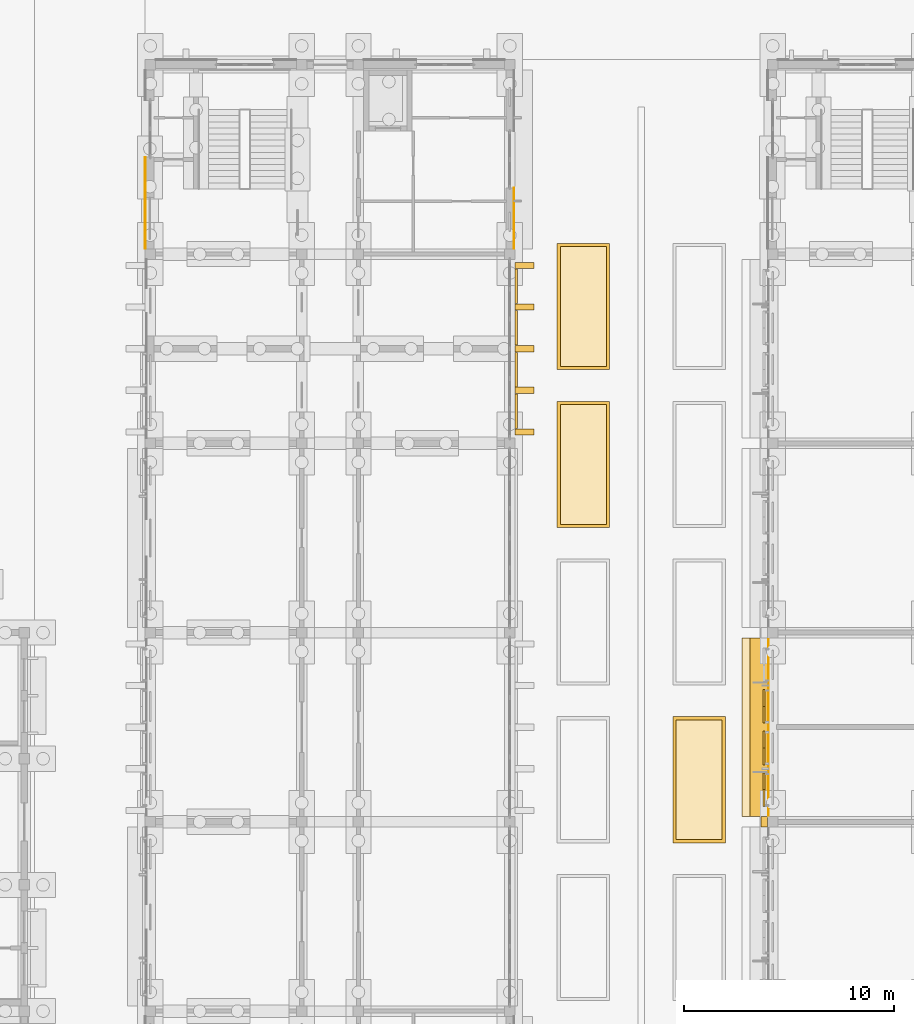
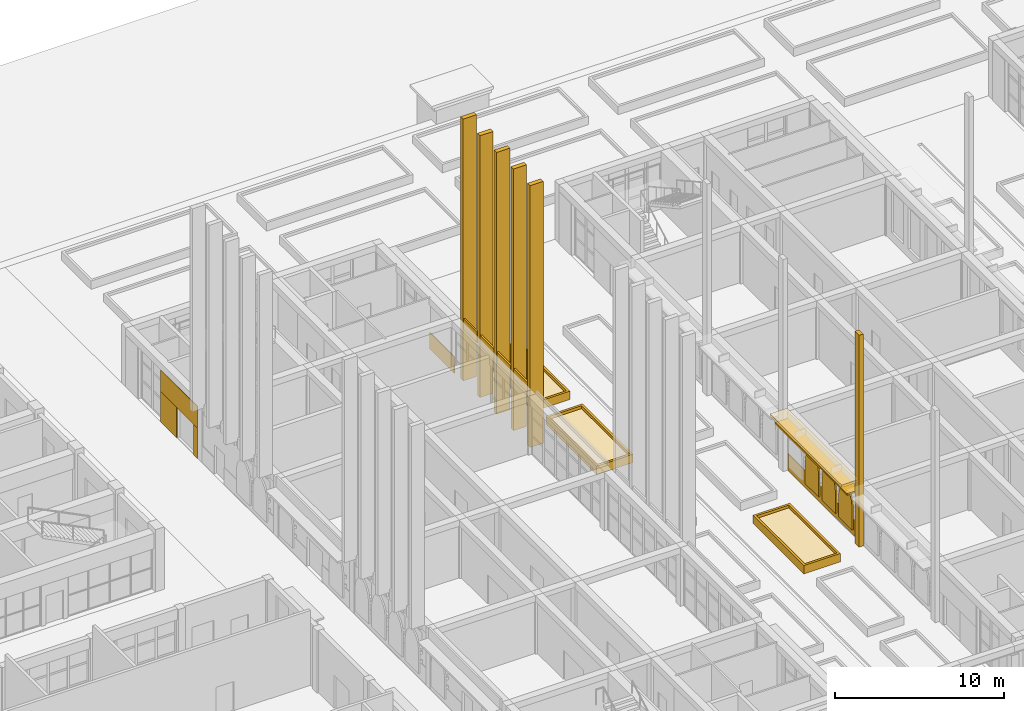
# One storey, part 103 of 161: 22 coverings, 4 shading devices.
"""IFC4 building model written with IfcOpenShell, lengths in metres."""

import ifcopenshell
import ifcopenshell.guid

model = None  # the IFC model being written
_history = None  # IfcOwnerHistory: only IFC2X3 demands one
_inside = {}  # id of a spatial element -> (the spatial element, [elements in it])
_under = {}  # id of a project, library or spatial element -> (it, [spatial elements below it])
_declared = {}  # id of a project -> (the project, [libraries it declares])
_typed = {}  # id of a type object -> (the type object, [elements of that type])
_made_of = {}  # id of a material, layer set ... -> (it, [elements and type objects made of it])


def new_model(schema):
    """Start an empty IFC model of exactly this schema.

    Asked for "IFC4X3", IfcOpenShell would pick the latest addendum, in which some entities
    have other attributes; the version numbers below select the first issue.
    IFC2X3 requires an IfcOwnerHistory on every rooted entity: one is made here for all.
    """
    global model, _history
    if schema == "IFC4X3":
        model = ifcopenshell.file(schema_version=(4, 3, 0, 0))
    else:
        model = ifcopenshell.file(schema=schema)
    _inside.clear()
    _under.clear()
    _declared.clear()
    _typed.clear()
    _made_of.clear()
    _history = None
    if model.schema == "IFC2X3":
        org = make("IfcOrganization", Name="unknown")
        user = make(
            "IfcPersonAndOrganization",
            ThePerson=make("IfcPerson", FamilyName="unknown"),
            TheOrganization=org,
        )
        app = make(
            "IfcApplication",
            ApplicationDeveloper=org,
            Version="unknown",
            ApplicationFullName="unknown",
            ApplicationIdentifier="unknown",
        )
        _history = make(
            "IfcOwnerHistory",
            OwningUser=user,
            OwningApplication=app,
            ChangeAction="ADDED",
            CreationDate=0,
        )
    return model


def make(cls, **values):
    """One entity of the class cls with the attributes given. An attribute that is None is left unset."""
    return model.create_entity(
        cls, **{name: value for name, value in values.items() if value is not None}
    )


def rooted(cls, **values):
    """An entity with a GlobalId (a new one), such as an element, a storey or a relation."""
    return make(cls, GlobalId=ifcopenshell.guid.new(), OwnerHistory=_history, **values)


def si_unit(unit_type, name, prefix=None):
    """IfcSIUnit, for example si_unit("LENGTHUNIT", "METRE", prefix="MILLI")."""
    return make("IfcSIUnit", UnitType=unit_type, Prefix=prefix, Name=name)


def assignment(units):
    """IfcUnitAssignment: the units of a project."""
    return None if units is None else make("IfcUnitAssignment", Units=units)


def point(xyz):
    """IfcCartesianPoint."""
    return None if xyz is None else make("IfcCartesianPoint", Coordinates=xyz)


def direction(xyz):
    """IfcDirection."""
    return None if xyz is None else make("IfcDirection", DirectionRatios=xyz)


def frame(location, z_axis=None, x_axis=None):
    """IfcAxis2Placement3D, a coordinate frame: its origin and axes. An axis left out is left unset."""
    return make(
        "IfcAxis2Placement3D",
        Location=point(location),
        Axis=direction(z_axis),
        RefDirection=direction(x_axis),
    )


def frame_2d(location, x_axis=None):
    """IfcAxis2Placement2D, a coordinate frame in the plane: its origin and x axis."""
    return make(
        "IfcAxis2Placement2D", Location=point(location), RefDirection=direction(x_axis)
    )


def origin():
    """The frame at (0, 0, 0) with its axes left unset."""
    return frame((0.0, 0.0, 0.0))


def origin_2d():
    """The frame at (0, 0) in the plane with its x axis left unset."""
    return frame_2d((0.0, 0.0))


def place(relative_to, where):
    """IfcLocalPlacement: puts the frame where relative to a parent placement (None: the world)."""
    return make(
        "IfcLocalPlacement", PlacementRelTo=relative_to, RelativePlacement=where
    )


def context(
    kind, dimensions, precision=None, world=None, true_north=None, identifier=None
):
    """IfcGeometricRepresentationContext, for example the 3D "Model" context."""
    return make(
        "IfcGeometricRepresentationContext",
        ContextIdentifier=identifier,
        ContextType=kind,
        CoordinateSpaceDimension=dimensions,
        Precision=precision,
        WorldCoordinateSystem=world,
        TrueNorth=true_north,
    )


def subcontext(parent, identifier, kind, view, scale=None):
    """IfcGeometricRepresentationSubContext, for example "Body" below "Model"."""
    return make(
        "IfcGeometricRepresentationSubContext",
        ContextIdentifier=identifier,
        ContextType=kind,
        ParentContext=parent,
        TargetScale=scale,
        TargetView=view,
    )


def project(units=None, contexts=None):
    """IfcProject with its units and contexts."""
    return rooted(
        "IfcProject",
        Name="project",
        RepresentationContexts=contexts,
        UnitsInContext=assignment(units),
    )


def spatial(cls, under=None, at=None, **own):
    """A site, building, storey or space (cls), placed at a placement, below another one or the project."""
    s = rooted(cls, ObjectPlacement=at, **own)
    if under is not None:
        _under.setdefault(under.id(), (under, []))[1].append(s)
    return s


def polyline(points):
    """IfcPolyline through the points."""
    return make("IfcPolyline", Points=[point(p) for p in points])


def profile(cls, at=None, kind="AREA", **sizes):
    """A parametric profile (cls). Its sizes go by their IFC names, for example OverallWidth=200.0."""
    return make(cls, ProfileType=kind, Position=at, **sizes)


def rectangle(**sizes):
    """IfcRectangleProfileDef."""
    return profile("IfcRectangleProfileDef", **sizes)


def outline(outer, holes=None, kind="AREA"):
    """IfcArbitraryClosedProfileDef: a profile drawn as a closed curve; with holes, ...WithVoids."""
    if holes is None:
        return make("IfcArbitraryClosedProfileDef", ProfileType=kind, OuterCurve=outer)
    return make(
        "IfcArbitraryProfileDefWithVoids",
        ProfileType=kind,
        OuterCurve=outer,
        InnerCurves=holes,
    )


def extrude(swept, where, along, depth):
    """IfcExtrudedAreaSolid: the profile swept, set in the frame where, extruded along a direction by depth."""
    return make(
        "IfcExtrudedAreaSolid",
        SweptArea=swept,
        Position=where,
        ExtrudedDirection=direction(along),
        Depth=depth,
    )


def shape(context_of_items, identifier, shape_type, items):
    """IfcShapeRepresentation: the items that make up one representation, for example the "Body"."""
    return make(
        "IfcShapeRepresentation",
        ContextOfItems=context_of_items,
        RepresentationIdentifier=identifier,
        RepresentationType=shape_type,
        Items=items,
    )


def material(Name=None, Category=None):
    """IfcMaterial."""
    return make("IfcMaterial", Name=Name, Category=Category)


def layer(
    of_material, thickness, ventilated=None, Name=None, Category=None, Priority=None
):
    """IfcMaterialLayer: one layer of a wall or slab, of a material (None: an air gap)."""
    return make(
        "IfcMaterialLayer",
        Material=of_material,
        LayerThickness=thickness,
        IsVentilated=ventilated,
        Name=Name,
        Category=Category,
        Priority=Priority,
    )


def layer_set(layers, Name=None):
    """IfcMaterialLayerSet."""
    return make("IfcMaterialLayerSet", MaterialLayers=layers, LayerSetName=Name)


def made_of(thing, what):
    """Note that an element or type object is made of a material, layer set ...; save() writes the relation."""
    if what is not None:
        _made_of.setdefault(what.id(), (what, []))[1].append(thing)
    return thing


def type_object(cls, material=None, **own):
    """A type object (cls), such as IfcWallType, which elements share."""
    return made_of(rooted(cls, **own), material)


def element(
    cls,
    number,
    at=None,
    inside=None,
    cuts=None,
    type_object=None,
    material=None,
    context=None,
    identifier="Body",
    shape_type=None,
    held_by="IfcProductDefinitionShape",
    body=None,
    shapes=None,
    **own,
):
    """One element of the class cls, such as IfcWall. Its Tag is "e" and its number.

    at: its placement. inside: the storey or other place that contains it. cuts: it is an
    opening in that element (IfcRelVoidsElement). A single representation is given by context,
    identifier, shape_type and body (its items); several are given by shapes. held_by: the class
    of the entity that holds the representations. save() writes the other relations.
    """
    e = rooted(cls, Tag="e%d" % number, ObjectPlacement=at, **own)
    if body is not None:
        shapes = [shape(context, identifier, shape_type, body)]
    if shapes is not None:
        e.Representation = make(held_by, Representations=shapes)
    if inside is not None:
        _inside.setdefault(inside.id(), (inside, []))[1].append(e)
    if cuts is not None:
        rooted(
            "IfcRelVoidsElement", RelatingBuildingElement=cuts, RelatedOpeningElement=e
        )
    if type_object is not None:
        _typed.setdefault(type_object.id(), (type_object, []))[1].append(e)
    return made_of(e, material)


def aggregate(whole, parts):
    """IfcRelAggregates: a whole, such as a stair, and the parts it consists of."""
    return rooted("IfcRelAggregates", RelatingObject=whole, RelatedObjects=parts)


def save(model, path):
    """Write the relations noted so far, then the file.

    IfcRelAggregates (storeys below a building ...), IfcRelContainedInSpatialStructure (elements
    in a storey), IfcRelDefinesByType, IfcRelAssociatesMaterial and IfcRelDeclares: one each for
    every whole, place, type object, material and project.
    """
    for whole, parts in _under.values():
        aggregate(whole, parts)
    for where, things in _inside.values():
        rooted(
            "IfcRelContainedInSpatialStructure",
            RelatedElements=things,
            RelatingStructure=where,
        )
    for kind, things in _typed.values():
        rooted("IfcRelDefinesByType", RelatedObjects=things, RelatingType=kind)
    for what, things in _made_of.values():
        rooted("IfcRelAssociatesMaterial", RelatedObjects=things, RelatingMaterial=what)
    for by, libraries in _declared.values():
        rooted("IfcRelDeclares", RelatingContext=by, RelatedDefinitions=libraries)
    model.write(path)


model = new_model("IFC4")

# Units and contexts
model_context = context("Model", 3, precision=1e-05, world=origin(), true_north=direction((0.0, 1.0)))
body_context = subcontext(model_context, "Body", "Model", "MODEL_VIEW")
ifc_project = project(units=[si_unit("LENGTHUNIT", "METRE"), si_unit("AREAUNIT", "SQUARE_METRE"), si_unit("VOLUMEUNIT", "CUBIC_METRE"), si_unit("PLANEANGLEUNIT", "RADIAN"), si_unit("MASSUNIT", "GRAM", prefix="KILO")], contexts=[model_context])

# Site, building, storey
site_placement = place(None, origin())
site = spatial("IfcSite", under=ifc_project, at=site_placement, CompositionType="ELEMENT")
building_placement = place(site_placement, origin())
building = spatial("IfcBuilding", under=site, at=building_placement, Name="Elbe Cascade School", CompositionType="ELEMENT")
storey_placement = place(building_placement, origin())
storey = spatial("IfcBuildingStorey", under=building, at=storey_placement, Name="L00", CompositionType="ELEMENT", Elevation=0.0)

# Shading devices
ifc_material_1 = material(Name="Precast concrete C30/37", Category="concrete")
ifc_layer_1 = layer(ifc_material_1, 0.1201171875)
ifc_layer_set_1 = layer_set([ifc_layer_1], Name="Precast concrete C30/37")
shading_device_type_1 = type_object("IfcShadingDeviceType", Name="Bars envelope Chhajja eave, precast concrete, 900 x 120", PredefinedType="USERDEFINED", material=ifc_layer_set_1)
shading_device_1_placement = place(storey_placement, frame((97.969970703125, 28.5, 3.6298828125), z_axis=(0.0, 0.0, 1.0), x_axis=(0.0, 1.0, 0.0)))
element("IfcShadingDevice", 1, at=shading_device_1_placement, inside=storey, type_object=shading_device_type_1, Name="Chhajja eave SD2 B.L00.w3", ObjectType="CHHAJJA", PredefinedType="USERDEFINED", context=body_context, shape_type="SweptSolid", body=[
    extrude(rectangle(XDim=8.5, YDim=0.89990234375, at=origin_2d()), origin(), (0.0, 0.0, 1.0), 0.1201171875),
])
ifc_material_2 = material(Name="Precast concrete C40/50", Category="concrete")
ifc_layer_2 = layer(ifc_material_2, 0.10009765625)
ifc_layer_set_2 = layer_set([ifc_layer_2], Name="Precast concrete C40/50")
shading_device_type_2 = type_object("IfcShadingDeviceType", Name="Bars envelope Jali screen 1600 x 2840, pointed arch rise 1200, pierced precast concrete", PredefinedType="USERDEFINED", material=ifc_layer_set_2)
shading_device_2_placement = place(storey_placement, frame((98.139892578125, 24.72998046875, 2.239990234375), z_axis=(-1.0, 0.0, 0.0), x_axis=(0.0, 0.196300278283, 0.98054382908)))
element("IfcShadingDevice", 2, at=shading_device_2_placement, inside=storey, type_object=shading_device_type_2, Name="Jali screen SD3 B.L00.w3.1", ObjectType="JALI", PredefinedType="USERDEFINED", context=body_context, shape_type="SweptSolid", body=[
    extrude(outline(polyline([(0.0, 0.0), (0.509921112317134, 0.0), (0.7186409460062186, 0.06005009918221829), (0.8735458233318658, 0.1311226852889124), (0.9982395622926888, 0.20799441476340969), (1.102872417131342, 0.2891312241218946), (1.1919448840573539, 0.37338315020117196), (1.268281725197354, 0.45993570394643946), (1.3336545243794973, 0.5489321924158467), (1.3075321958793382, 0.6559965916457164), (1.270445825421322, 0.7655049255997259), (1.220671754049922, 0.877553277802997), (1.155289369893253, 0.9924773561437888), (1.069846101614414, 1.1116665143685687), (0.9541916949707512, 1.2366548159611515), (0.7847223319636507, 1.37266560447821), (0.31409961520112845, 1.5689658827607584), (-1.2938869326328684, 1.8908772522001815), (-1.6079865478339967, 0.32191136943942317), (0.0, 0.0)])), origin(), (0.0, 0.0, -1.0), 0.10009765625),
])
for number, where, z_axis, x_axis, name in (
    (3, (98.139892578125, 26.7099609375, 2.239990234375), (-1.0, 0.0, 0.0), (0.0, 0.196300278283, 0.98054382908), "Jali screen SD3 B.L00.w3.2"),
    (4, (98.139892578125, 28.68994140625, 2.239990234375), (-1.0, 0.0, 0.0), (0.0, 0.196300278283, 0.98054382908), "Jali screen SD3 B.L00.w3.3"),
):
    element("IfcShadingDevice", number, at=place(storey_placement, frame(where, z_axis=z_axis, x_axis=x_axis)), inside=storey, type_object=shading_device_type_2, Name=name, ObjectType="JALI", PredefinedType="USERDEFINED", context=body_context, shape_type="SweptSolid", body=[
        extrude(outline(polyline([(0.0, 0.0), (0.509921112317134, 0.0), (0.7186409460062186, 0.06005009918221829), (0.8735458233318658, 0.1311226852889124), (0.9982874871653163, 0.20823380534668107), (1.102872417131342, 0.2891312241218946), (1.1919448840573539, 0.37338315020117196), (1.268281725197354, 0.45993570394643946), (1.3336545243794973, 0.5489321924158467), (1.3075801207519657, 0.6562359822289878), (1.270445825421322, 0.7655049255997259), (1.220671754049922, 0.877553277802997), (1.155289369893253, 0.9924773561437888), (1.069846101614414, 1.1116665143685687), (0.9542396198433787, 1.2368942065444228), (0.7847223319636507, 1.37266560447821), (0.31409961520112845, 1.5689658827607584), (-1.2938869326328684, 1.8908772522001815), (-1.6079865478339967, 0.32191136943942317), (0.0, 0.0)])), origin(), (0.0, 0.0, -1.0), 0.10009765625),
    ])

# Coverings
ifc_material_3 = material(Name="Sandstone - red", Category="masonry")
covering_type_1 = type_object("IfcCoveringType", Name="Bars envelope Sandstone chhajja slab, 1200 deep", PredefinedType="CLADDING", material=ifc_material_3)
covering_1_placement = place(storey_placement, frame((97.75, 28.5, 4.31982421875), z_axis=(0.0, 0.0, 1.0), x_axis=(0.0, 1.0, 0.0)))
element("IfcCovering", 5, at=covering_1_placement, inside=storey, type_object=covering_type_1, Name="Chhajja slab CV61 B.L00.w2.1", PredefinedType="CLADDING", context=body_context, shape_type="SweptSolid", body=[
    extrude(rectangle(XDim=8.5, YDim=1.199951171875, at=origin_2d()), origin(), (0.0, 0.0, 1.0), 0.179931640625),
])
ifc_material_4 = material(Name="Sandstone - red", Category="masonry")
ifc_layer_3 = layer(ifc_material_4, 0.0400390625)
ifc_layer_set_3 = layer_set([ifc_layer_3], Name="Sandstone - red")
covering_type_2 = type_object("IfcCoveringType", Name="Bars envelope Sandstone cladding, red, 40 mm", PredefinedType="CLADDING", material=ifc_layer_set_3)
covering_2_placement = place(storey_placement, frame((68.760009765625, 51.47509765625, 0.0), z_axis=(0.0, 0.0, 1.0), x_axis=(0.0, 1.0, 0.0)))
element("IfcCovering", 6, at=covering_2_placement, inside=storey, type_object=covering_type_2, Name="Sandstone cladding CV48 A.L00.w.6a.1", PredefinedType="CLADDING", context=body_context, shape_type="SweptSolid", body=[
    extrude(rectangle(XDim=0.449951171875, YDim=0.0400390625, at=origin_2d()), origin(), (0.0, 0.0, 1.0), 2.199951171875),
])
covering_3_placement = place(storey_placement, frame((68.760009765625, 54.655029296875, 0.0), z_axis=(0.0, 0.0, 1.0), x_axis=(0.0, 1.0, 0.0)))
element("IfcCovering", 7, at=covering_3_placement, inside=storey, type_object=covering_type_2, Name="Sandstone cladding CV48 A.L00.w.6a.2", PredefinedType="CLADDING", context=body_context, shape_type="SweptSolid", body=[
    extrude(rectangle(XDim=1.909912109375, YDim=0.0400390625, at=origin_2d()), origin(), (0.0, 0.0, 1.0), 2.199951171875),
])
covering_4_placement = place(storey_placement, frame((68.760009765625, 53.429931640625, 2.2001953125), z_axis=(0.0, 0.0, 1.0), x_axis=(0.0, 1.0, 0.0)))
element("IfcCovering", 8, at=covering_4_placement, inside=storey, type_object=covering_type_2, Name="Sandstone cladding CV48 A.L00.w.6a.3", PredefinedType="CLADDING", context=body_context, shape_type="SweptSolid", body=[
    extrude(rectangle(XDim=4.360107421875, YDim=0.0400390625, at=origin_2d()), origin(), (0.0, 0.0, 1.0), 1.550048828125),
])
covering_5_placement = place(storey_placement, frame((86.300048828125, 52.699951171875, 0.0), z_axis=(0.0, 0.0, 1.0), x_axis=(0.0, 1.0, 0.0)))
element("IfcCovering", 9, at=covering_5_placement, inside=storey, type_object=covering_type_2, Name="Sandstone cladding CV48 A.L00.e.6a.1", PredefinedType="CLADDING", context=body_context, shape_type="SweptSolid", body=[
    extrude(rectangle(XDim=2.89990234375, YDim=0.0400390625, at=origin_2d()), origin(), (0.0, 0.0, 1.0), 1.199951171875),
])
covering_6_placement = place(storey_placement, frame((98.39990234375, 28.5, 0.0), z_axis=(0.0, 0.0, 1.0), x_axis=(0.0, 1.0, 0.0)))
element("IfcCovering", 10, at=covering_6_placement, inside=storey, type_object=covering_type_2, Name="Sandstone cladding CV48 B.L00.w.3.1", PredefinedType="CLADDING", context=body_context, shape_type="SweptSolid", body=[
    extrude(rectangle(XDim=8.5, YDim=0.0400390625, at=origin_2d()), origin(), (0.0, 0.0, 1.0), 1.199951171875),
])
ifc_material_5 = material(Name="Sandstone - red", Category="masonry")
covering_type_3 = type_object("IfcCoveringType", Name="Bars envelope Sandstone deep fin, 300 wide, 900 deep", PredefinedType="CLADDING", material=ifc_material_5)
for number, where, z_axis, x_axis, name in (
    (11, (86.800048828125, 42.5400390625, 0.0), (0.0, 0.0, 1.0), (0.0, 1.0, 0.0), "Deep fin CV54 A.e4.1"),
    (12, (86.800048828125, 44.52001953125, 0.0), (0.0, 0.0, 1.0), (0.0, 1.0, 0.0), "Deep fin CV54 A.e4.2"),
    (13, (86.800048828125, 46.5, 0.0), (0.0, 0.0, 1.0), (0.0, 1.0, 0.0), "Deep fin CV54 A.e4.3"),
    (14, (86.800048828125, 48.47998046875, 0.0), (0.0, 0.0, 1.0), (0.0, 1.0, 0.0), "Deep fin CV54 A.e4.4"),
    (15, (86.800048828125, 50.4599609375, 0.0), (0.0, 0.0, 1.0), (0.0, 1.0, 0.0), "Deep fin CV54 A.e4.5"),
):
    element("IfcCovering", number, at=place(storey_placement, frame(where, z_axis=z_axis, x_axis=x_axis)), inside=storey, type_object=covering_type_3, Name=name, PredefinedType="CLADDING", context=body_context, shape_type="SweptSolid", body=[
        extrude(rectangle(XDim=0.300048828125, YDim=0.89990234375, at=origin_2d()), origin(), (0.0, 0.0, 1.0), 18.89990234375),
    ])
ifc_material_6 = material(Name="Sandstone - red", Category="masonry")
covering_type_4 = type_object("IfcCoveringType", Name="Bars envelope Sandstone pilaster, 300 deep", PredefinedType="CLADDING", material=ifc_material_6)
covering_7_placement = place(storey_placement, frame((98.199951171875, 24.0, 0.0), z_axis=(0.0, 0.0, 1.0), x_axis=(0.0, 1.0, 0.0)))
element("IfcCovering", 16, at=covering_7_placement, inside=storey, type_object=covering_type_4, Name="Pilaster CV60 B.w2", PredefinedType="CLADDING", context=body_context, shape_type="SweptSolid", body=[
    extrude(rectangle(XDim=0.5, YDim=0.300048828125, at=origin_2d()), origin(), (0.0, 0.0, 1.0), 15.300048828125),
])
ifc_material_7 = material(Name="Sandstone - red", Category="masonry")
covering_type_5 = type_object("IfcCoveringType", Name="Bars envelope Sandstone spandrel band, 120 deep", PredefinedType="CLADDING", material=ifc_material_7)
for number, where, z_axis, x_axis, name in (
    (17, (86.409912109375, 43.530029296875, 3.75), (0.0, 0.0, 1.0), (0.0, 1.0, 0.0), "Spandrel band CV53 A.L00.e4.1"),
    (18, (86.409912109375, 45.510009765625, 3.75), (0.0, 0.0, 1.0), (0.0, 1.0, 0.0), "Spandrel band CV53 A.L00.e4.2"),
    (19, (86.409912109375, 47.489990234375, 3.75), (0.0, 0.0, 1.0), (0.0, 1.0, 0.0), "Spandrel band CV53 A.L00.e4.3"),
    (20, (86.409912109375, 49.469970703125, 3.75), (0.0, 0.0, 1.0), (0.0, 1.0, 0.0), "Spandrel band CV53 A.L00.e4.4"),
):
    element("IfcCovering", number, at=place(storey_placement, frame(where, z_axis=z_axis, x_axis=x_axis)), inside=storey, type_object=covering_type_5, Name=name, PredefinedType="CLADDING", context=body_context, shape_type="SweptSolid", body=[
        extrude(rectangle(XDim=1.639892578125, YDim=0.1201171875, at=origin_2d()), origin(), (0.0, 0.0, 1.0), 0.75),
    ])
ifc_material_8 = material(Name="Planting - soil and shrubs", Category="soil")
ifc_layer_4 = layer(ifc_material_8, 0.39990234375)
ifc_layer_set_4 = layer_set([ifc_layer_4], Name="Planting - soil and shrubs")
covering_type_6 = type_object("IfcCoveringType", Name="Site planting bed 400", PredefinedType="USERDEFINED", material=ifc_layer_set_4)
covering_8_placement = place(storey_placement, origin())
element("IfcCovering", 21, at=covering_8_placement, inside=storey, type_object=covering_type_6, Name="Court A-B planting bed west 5", ObjectType="PLANTING BED", PredefinedType="USERDEFINED", context=body_context, shape_type="SweptSolid", body=[
    extrude(outline(polyline([(88.5, 38.14990234375), (90.699951171875, 38.14990234375), (90.699951171875, 43.85009765625), (88.5, 43.85009765625), (88.5, 38.14990234375)])), origin(), (0.0, 0.0, 1.0), 0.39990234375),
])
covering_9_placement = place(storey_placement, origin())
element("IfcCovering", 22, at=covering_9_placement, inside=storey, type_object=covering_type_6, Name="Court A-B planting bed west 6", ObjectType="PLANTING BED", PredefinedType="USERDEFINED", context=body_context, shape_type="SweptSolid", body=[
    extrude(outline(polyline([(88.5, 45.64990234375), (90.699951171875, 45.64990234375), (90.699951171875, 51.35009765625), (88.5, 51.35009765625), (88.5, 45.64990234375)])), origin(), (0.0, 0.0, 1.0), 0.39990234375),
])
covering_10_placement = place(storey_placement, origin())
element("IfcCovering", 23, at=covering_10_placement, inside=storey, type_object=covering_type_6, Name="Court A-B planting bed east 3", ObjectType="PLANTING BED", PredefinedType="USERDEFINED", context=body_context, shape_type="SweptSolid", body=[
    extrude(outline(polyline([(94.0, 23.14990234375), (96.199951171875, 23.14990234375), (96.199951171875, 28.85009765625), (94.0, 28.85009765625), (94.0, 23.14990234375)])), origin(), (0.0, 0.0, 1.0), 0.39990234375),
])
ifc_material_9 = material(Name="Concrete C30/37 precast kerb", Category="concrete")
ifc_layer_5 = layer(ifc_material_9, 0.14990234375)
ifc_layer_set_5 = layer_set([ifc_layer_5], Name="Concrete C30/37 precast kerb")
covering_type_7 = type_object("IfcCoveringType", Name="Site planting bed kerb 150x600", PredefinedType="CLADDING", material=ifc_layer_set_5)
covering_11_placement = place(storey_placement, origin())
element("IfcCovering", 24, at=covering_11_placement, inside=storey, type_object=covering_type_7, Name="Court A-B planting bed kerb west 5", PredefinedType="CLADDING", context=body_context, shape_type="SweptSolid", body=[
    extrude(outline(polyline([(88.35009765625, 38.0), (90.85009765625, 38.0), (90.85009765625, 44.0), (88.35009765625, 44.0), (88.35009765625, 38.0)]), holes=[polyline([(88.5, 38.14990234375), (90.699951171875, 38.14990234375), (90.699951171875, 43.85009765625), (88.5, 43.85009765625), (88.5, 38.14990234375)])]), origin(), (0.0, 0.0, 1.0), 0.60009765625),
])
covering_12_placement = place(storey_placement, origin())
element("IfcCovering", 25, at=covering_12_placement, inside=storey, type_object=covering_type_7, Name="Court A-B planting bed kerb west 6", PredefinedType="CLADDING", context=body_context, shape_type="SweptSolid", body=[
    extrude(outline(polyline([(88.35009765625, 45.5), (90.85009765625, 45.5), (90.85009765625, 51.5), (88.35009765625, 51.5), (88.35009765625, 45.5)]), holes=[polyline([(88.5, 45.64990234375), (90.699951171875, 45.64990234375), (90.699951171875, 51.35009765625), (88.5, 51.35009765625), (88.5, 45.64990234375)])]), origin(), (0.0, 0.0, 1.0), 0.60009765625),
])
covering_13_placement = place(storey_placement, origin())
element("IfcCovering", 26, at=covering_13_placement, inside=storey, type_object=covering_type_7, Name="Court A-B planting bed kerb east 3", PredefinedType="CLADDING", context=body_context, shape_type="SweptSolid", body=[
    extrude(outline(polyline([(93.85009765625, 23.0), (96.35009765625, 23.0), (96.35009765625, 29.0), (93.85009765625, 29.0), (93.85009765625, 23.0)]), holes=[polyline([(94.0, 23.14990234375), (96.199951171875, 23.14990234375), (96.199951171875, 28.85009765625), (94.0, 28.85009765625), (94.0, 23.14990234375)])]), origin(), (0.0, 0.0, 1.0), 0.60009765625),
])

save(model, "model.ifc")
